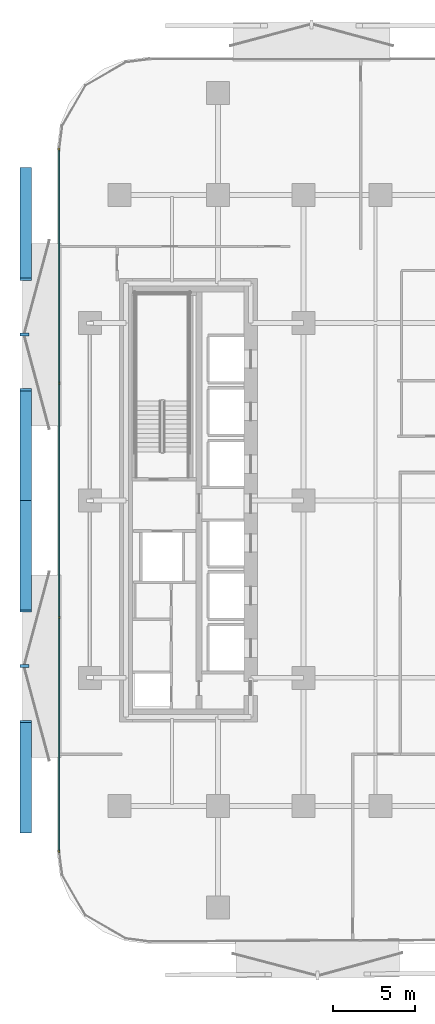
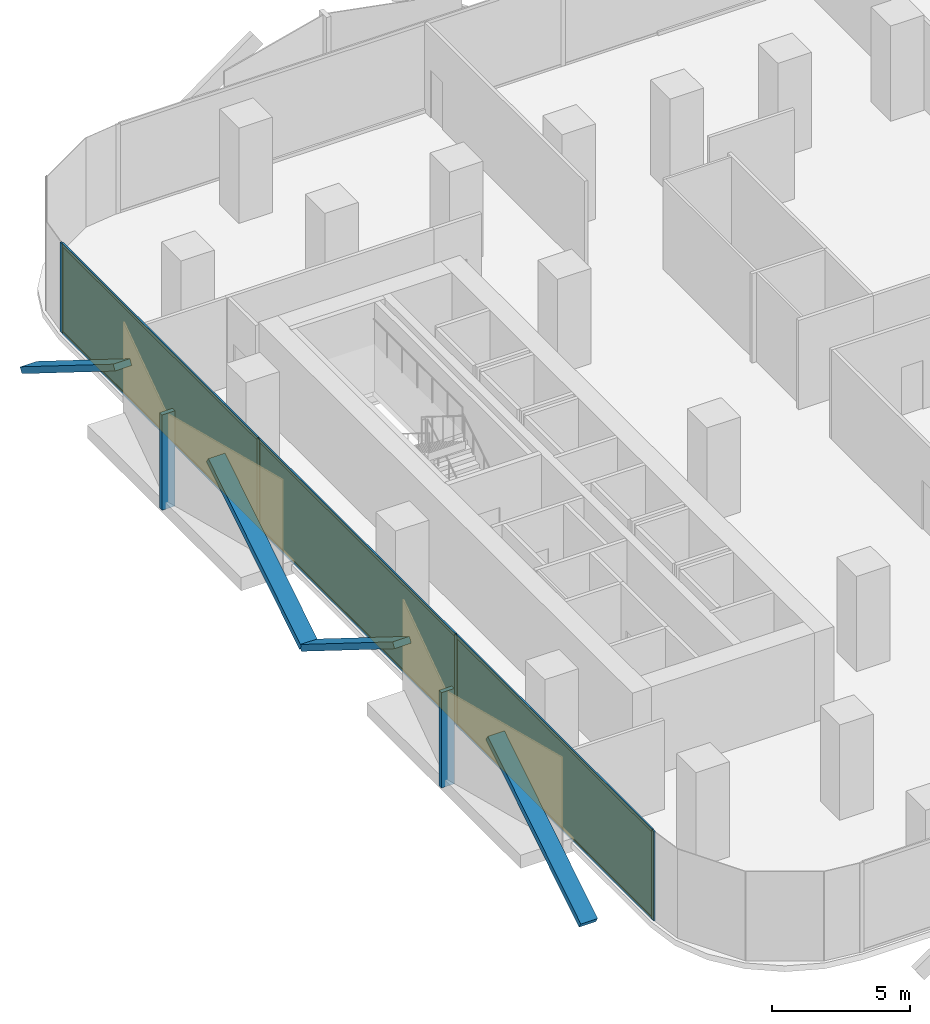
# One storey, part 8 of 15: 16 members, 3 plates, 1 curtain wall.
"""IFC4 building model written with IfcOpenShell, lengths in metres."""

from ifc_helpers import new_model, si_unit, direction, frame, frame_2d, origin, origin_2d, place, context, subcontext, project, spatial, rectangle, extrude, material, layer, layer_set, material_profile, profile_set, type_object, element, aggregate, save


model = new_model("IFC4")

# Units and contexts
model_context = context("Model", 3, precision=1e-05, world=origin(), true_north=direction((0.0, 1.0)))
body_context = subcontext(model_context, "Body", "Model", "MODEL_VIEW")
ifc_project = project(units=[si_unit("LENGTHUNIT", "METRE"), si_unit("AREAUNIT", "SQUARE_METRE"), si_unit("VOLUMEUNIT", "CUBIC_METRE"), si_unit("PLANEANGLEUNIT", "RADIAN"), si_unit("MASSUNIT", "GRAM", prefix="KILO")], contexts=[model_context])

# Member
ifc_material_1 = material(Name="Anodised Bronze Aluminium 6063-T6", Category="aluminium")
ifc_material_profile_1 = material_profile(ifc_material_1, rectangle(XDim=0.260009765625, YDim=0.699951171875, at=origin_2d()))
ifc_profile_set_1 = profile_set([ifc_material_profile_1], Name="Anodised Bronze Aluminium 6063-T6")
member_type_1 = type_object("IfcMemberType", Name="Bronze Diamond Solar-Screen Lattice Rib BDL-700", PredefinedType="MULLION", material=ifc_profile_set_1)
site_placement = place(None, origin())
building_placement = place(site_placement, origin())
storey_placement = place(building_placement, frame((0.0, 0.0, 38.60009765625)))
member_1_placement = place(storey_placement, frame((-26.10009765625, -20.19091796875, -0.130126953125), z_axis=(0.0, 0.848371528126, 0.529401313057), x_axis=(0.0, -0.529401313057, 0.848371528126)))
member_1 = element("IfcMember", 1, at=member_1_placement, type_object=member_type_1, Name="L09 Bronze Diamond Solar Screen Lattice Rib 27A", PredefinedType="MULLION", context=body_context, shape_type="SweptSolid", body=[
    extrude(rectangle(XDim=0.260009765625, YDim=0.699951171875, at=origin_2d()), origin(), (0.0, 0.0, 1.0), 7.933349609375),
])

member_2_placement = place(storey_placement, frame((-26.10009765625, 0.0, -0.130126953125), z_axis=(0.0, -0.848362902952, 0.529415134744), x_axis=(0.0, 0.529415134744, 0.848362902952)))
member_2 = element("IfcMember", 2, at=member_2_placement, type_object=member_type_1, Name="L09 Bronze Diamond Solar Screen Lattice Rib 27B", PredefinedType="MULLION", context=body_context, shape_type="SweptSolid", body=[
    extrude(rectangle(XDim=0.260009765625, YDim=0.699951171875, at=origin_2d()), origin(), (0.0, 0.0, 1.0), 7.93310546875),
])

member_3_placement = place(storey_placement, frame((-26.10009765625, 0.0, -0.130126953125), z_axis=(0.0, 0.848362902952, 0.529415134744), x_axis=(0.0, -0.529415134744, 0.848362902952)))
member_3 = element("IfcMember", 3, at=member_3_placement, type_object=member_type_1, Name="L09 Bronze Diamond Solar Screen Lattice Rib 28A", PredefinedType="MULLION", context=body_context, shape_type="SweptSolid", body=[
    extrude(rectangle(XDim=0.260009765625, YDim=0.699951171875, at=origin_2d()), origin(), (0.0, 0.0, 1.0), 7.93310546875),
])

member_4_placement = place(storey_placement, frame((-26.10009765625, 20.19091796875, -0.130126953125), z_axis=(0.0, -0.848371528126, 0.529401313057), x_axis=(0.0, 0.529401313057, 0.848371528126)))
member_4 = element("IfcMember", 4, at=member_4_placement, type_object=member_type_1, Name="L09 Bronze Diamond Solar Screen Lattice Rib 28B", PredefinedType="MULLION", context=body_context, shape_type="SweptSolid", body=[
    extrude(rectangle(XDim=0.260009765625, YDim=0.699951171875, at=origin_2d()), origin(), (0.0, 0.0, 1.0), 7.933349609375),
])

ifc_material_2 = material(Name="Anodised Bronze Aluminium 6063-T6", Category="aluminium")
ifc_material_profile_2 = material_profile(ifc_material_2, rectangle(XDim=0.179931640625, YDim=0.5400390625, at=origin_2d()))
ifc_profile_set_2 = profile_set([ifc_material_profile_2], Name="Anodised Bronze Aluminium 6063-T6")
member_type_2 = type_object("IfcMemberType", Name="Bronze Solar-Screen Vertical Fold Fin BSF-540", PredefinedType="MULLION", material=ifc_profile_set_2)
member_5_placement = place(storey_placement, frame((-26.179931640625, -10.095458984375, -0.130126953125), z_axis=(0.0, 0.0, 1.0), x_axis=(0.0, 1.0, 0.0)))
member_5 = element("IfcMember", 5, at=member_5_placement, type_object=member_type_2, Name="L09 Bronze Solar Screen Vertical Fin 27", PredefinedType="MULLION", context=body_context, shape_type="SweptSolid", body=[
    extrude(rectangle(XDim=0.179931640625, YDim=0.5400390625, at=origin_2d()), origin(), (0.0, 0.0, 1.0), 4.199951171875),
])

member_6_placement = place(storey_placement, frame((-26.179931640625, 10.095458984375, -0.130126953125), z_axis=(0.0, 0.0, 1.0), x_axis=(0.0, 1.0, 0.0)))
member_6 = element("IfcMember", 6, at=member_6_placement, type_object=member_type_2, Name="L09 Bronze Solar Screen Vertical Fin 28", PredefinedType="MULLION", context=body_context, shape_type="SweptSolid", body=[
    extrude(rectangle(XDim=0.179931640625, YDim=0.5400390625, at=origin_2d()), origin(), (0.0, 0.0, 1.0), 4.199951171875),
])

ifc_material_3 = material(Name="Anodised Bronze Aluminium 6063-T6", Category="aluminium")
ifc_material_profile_3 = material_profile(ifc_material_3, rectangle(XDim=0.06494140625, YDim=0.179931640625, at=origin_2d()))
ifc_profile_set_3 = profile_set([ifc_material_profile_3], Name="Anodised Bronze Aluminium 6063-T6")
member_type_3 = type_object("IfcMemberType", Name="CW-Z1 Mullion 65x180", PredefinedType="MULLION", material=ifc_profile_set_3)
member_7_placement = place(storey_placement, frame((-24.06005859375, -21.3583984375, 0.0), z_axis=(0.0, 0.0, 1.0), x_axis=(-1.0, 0.0, 0.0)))
member_7 = element("IfcMember", 7, at=member_7_placement, type_object=member_type_3, Name="CW-Z1 mullion 1", PredefinedType="MULLION", context=body_context, shape_type="SweptSolid", body=[
    extrude(rectangle(XDim=0.06494140625, YDim=0.179931640625, at=origin_2d()), origin(), (0.0, 0.0, 1.0), 3.93994140625),
])

member_8_placement = place(storey_placement, frame((-24.06005859375, -7.13037109375, 0.0), z_axis=(0.0, 0.0, 1.0), x_axis=(-1.0, 0.0, 0.0)))
member_8 = element("IfcMember", 8, at=member_8_placement, type_object=member_type_3, Name="CW-Z1 mullion 2", PredefinedType="MULLION", context=body_context, shape_type="SweptSolid", body=[
    extrude(rectangle(XDim=0.06494140625, YDim=0.179931640625, at=origin_2d()), origin(), (0.0, 0.0, 1.0), 3.93994140625),
])

member_9_placement = place(storey_placement, frame((-24.06005859375, 7.13037109375, 0.0), z_axis=(0.0, 0.0, 1.0), x_axis=(-1.0, 0.0, 0.0)))
member_9 = element("IfcMember", 9, at=member_9_placement, type_object=member_type_3, Name="CW-Z1 mullion 3", PredefinedType="MULLION", context=body_context, shape_type="SweptSolid", body=[
    extrude(rectangle(XDim=0.06494140625, YDim=0.179931640625, at=origin_2d()), origin(), (0.0, 0.0, 1.0), 3.93994140625),
])

member_10_placement = place(storey_placement, frame((-24.06005859375, 21.3583984375, 0.0), z_axis=(0.0, 0.0, 1.0), x_axis=(-1.0, 0.0, 0.0)))
member_10 = element("IfcMember", 10, at=member_10_placement, type_object=member_type_3, Name="CW-Z1 mullion 4", PredefinedType="MULLION", context=body_context, shape_type="SweptSolid", body=[
    extrude(rectangle(XDim=0.06494140625, YDim=0.179931640625, at=origin_2d()), origin(), (0.0, 0.0, 1.0), 3.93994140625),
])

ifc_material_4 = material(Name="Anodised Bronze Aluminium 6063-T6", Category="aluminium")
ifc_material_profile_4 = material_profile(ifc_material_4, rectangle(XDim=0.06494140625, YDim=0.139892578125, at=origin_2d()))
ifc_profile_set_4 = profile_set([ifc_material_profile_4], Name="Anodised Bronze Aluminium 6063-T6")
member_type_4 = type_object("IfcMemberType", Name="CW-Z1 Transom 65x140", PredefinedType="USERDEFINED", material=ifc_profile_set_4)
member_11_placement = place(storey_placement, frame((-24.06005859375, -21.32568359375, 0.032470703125), z_axis=(0.0, 1.0, 0.0), x_axis=(-1.0, 0.0, 0.0)))
member_11 = element("IfcMember", 11, at=member_11_placement, type_object=member_type_4, Name="CW-Z1 transom 1.1", ObjectType="TRANSOM", PredefinedType="USERDEFINED", context=body_context, shape_type="SweptSolid", body=[
    extrude(rectangle(XDim=0.06494140625, YDim=0.139892578125, at=origin_2d()), origin(), (0.0, 0.0, 1.0), 14.162841796875),
])

member_12_placement = place(storey_placement, frame((-24.06005859375, -21.32568359375, 3.907470703125), z_axis=(0.0, 1.0, 0.0), x_axis=(-1.0, 0.0, 0.0)))
member_12 = element("IfcMember", 12, at=member_12_placement, type_object=member_type_4, Name="CW-Z1 transom 1.2", ObjectType="TRANSOM", PredefinedType="USERDEFINED", context=body_context, shape_type="SweptSolid", body=[
    extrude(rectangle(XDim=0.06494140625, YDim=0.139892578125, at=origin_2d()), origin(), (0.0, 0.0, 1.0), 14.162841796875),
])

member_13_placement = place(storey_placement, frame((-24.06005859375, -7.09765625, 0.032470703125), z_axis=(0.0, 1.0, 0.0), x_axis=(-1.0, 0.0, 0.0)))
member_13 = element("IfcMember", 13, at=member_13_placement, type_object=member_type_4, Name="CW-Z1 transom 2.1", ObjectType="TRANSOM", PredefinedType="USERDEFINED", context=body_context, shape_type="SweptSolid", body=[
    extrude(rectangle(XDim=0.06494140625, YDim=0.139892578125, at=origin_2d()), origin(), (0.0, 0.0, 1.0), 14.1953125),
])

member_14_placement = place(storey_placement, frame((-24.06005859375, -7.09765625, 3.907470703125), z_axis=(0.0, 1.0, 0.0), x_axis=(-1.0, 0.0, 0.0)))
member_14 = element("IfcMember", 14, at=member_14_placement, type_object=member_type_4, Name="CW-Z1 transom 2.2", ObjectType="TRANSOM", PredefinedType="USERDEFINED", context=body_context, shape_type="SweptSolid", body=[
    extrude(rectangle(XDim=0.06494140625, YDim=0.139892578125, at=origin_2d()), origin(), (0.0, 0.0, 1.0), 14.1953125),
])

member_15_placement = place(storey_placement, frame((-24.06005859375, 7.162841796875, 0.032470703125), z_axis=(0.0, 1.0, 0.0), x_axis=(-1.0, 0.0, 0.0)))
member_15 = element("IfcMember", 15, at=member_15_placement, type_object=member_type_4, Name="CW-Z1 transom 3.1", ObjectType="TRANSOM", PredefinedType="USERDEFINED", context=body_context, shape_type="SweptSolid", body=[
    extrude(rectangle(XDim=0.06494140625, YDim=0.139892578125, at=origin_2d()), origin(), (0.0, 0.0, 1.0), 14.162841796875),
])

member_16_placement = place(storey_placement, frame((-24.06005859375, 7.162841796875, 3.907470703125), z_axis=(0.0, 1.0, 0.0), x_axis=(-1.0, 0.0, 0.0)))
member_16 = element("IfcMember", 16, at=member_16_placement, type_object=member_type_4, Name="CW-Z1 transom 3.2", ObjectType="TRANSOM", PredefinedType="USERDEFINED", context=body_context, shape_type="SweptSolid", body=[
    extrude(rectangle(XDim=0.06494140625, YDim=0.139892578125, at=origin_2d()), origin(), (0.0, 0.0, 1.0), 14.162841796875),
])

# Plate
ifc_material_5 = material(Name="Low-E Solar Control Laminated Glass", Category="glass")
ifc_layer_1 = layer(ifc_material_5, 0.028076171875, Name="Low-E Solar Control Laminated Glass")
ifc_layer_set_1 = layer_set([ifc_layer_1], Name="Low-E Solar Control Laminated Glass")
plate_type = type_object("IfcPlateType", Name="CW-Z1 Low-E Double Glazed Panel 28mm", PredefinedType="CURTAIN_PANEL", material=ifc_layer_set_1)
plate_1_placement = place(storey_placement, frame((-24.06005859375, -14.244384765625, 0.06494140625), z_axis=(0.0, 0.0, 1.0), x_axis=(0.0, 1.0, 0.0)))
plate_1 = element("IfcPlate", 17, at=plate_1_placement, type_object=plate_type, Name="CW-Z1 panel 1.1", PredefinedType="CURTAIN_PANEL", context=body_context, shape_type="SweptSolid", body=[
    extrude(rectangle(XDim=14.1630859375, YDim=0.028076171875, at=origin_2d()), origin(), (0.0, 0.0, 1.0), 3.81005859375),
])

plate_2_placement = place(storey_placement, frame((-24.06005859375, 0.0, 0.06494140625), z_axis=(0.0, 0.0, 1.0), x_axis=(0.0, 1.0, 0.0)))
plate_2 = element("IfcPlate", 18, at=plate_2_placement, type_object=plate_type, Name="CW-Z1 panel 2.1", PredefinedType="CURTAIN_PANEL", context=body_context, shape_type="SweptSolid", body=[
    extrude(rectangle(XDim=14.195556640625, YDim=0.028076171875, at=origin_2d()), origin(), (0.0, 0.0, 1.0), 3.81005859375),
])

plate_3_placement = place(storey_placement, frame((-24.06005859375, 14.244384765625, 0.06494140625), z_axis=(0.0, 0.0, 1.0), x_axis=(0.0, 1.0, 0.0)))
plate_3 = element("IfcPlate", 19, at=plate_3_placement, type_object=plate_type, Name="CW-Z1 panel 3.1", PredefinedType="CURTAIN_PANEL", context=body_context, shape_type="SweptSolid", body=[
    extrude(rectangle(XDim=14.1630859375, YDim=0.028076171875, at=origin_2d()), origin(), (0.0, 0.0, 1.0), 3.81005859375),
])

# Site, building, storey
site = spatial("IfcSite", under=ifc_project, at=site_placement, CompositionType="ELEMENT")
building = spatial("IfcBuilding", under=site, at=building_placement, Name="Khairoan Windgate Tower", CompositionType="ELEMENT")
storey = spatial("IfcBuildingStorey", under=building, at=storey_placement, Name="L09", CompositionType="ELEMENT", Elevation=38.60009765625)

# Curtain wall
ifc_material_6 = material(Name="Anodised Bronze Aluminium 6063-T6", Category="aluminium")
ifc_layer_2 = layer(ifc_material_6, 0.179931640625, Name="Anodised Bronze Aluminium 6063-T6")
ifc_layer_set_2 = layer_set([ifc_layer_2], Name="Anodised Bronze Aluminium 6063-T6")
curtain_wall_type = type_object("IfcCurtainWallType", Name="Low-Rise Office Unitised Curtain Wall CW-Z1", PredefinedType="NOTDEFINED", material=ifc_layer_set_2)
curtain_wall_placement = place(storey_placement, frame((-24.06005859375, -21.390869140625, 0.0), z_axis=(0.0, 0.0, 1.0), x_axis=(0.0, 1.0, 0.0)))
curtain_wall = element("IfcCurtainWall", 20, at=curtain_wall_placement, inside=storey, type_object=curtain_wall_type, Name="L09 Unitised Curtain Wall 6", PredefinedType="NOTDEFINED", context=body_context, shape_type="SweptSolid", body=[
    extrude(rectangle(XDim=42.78173828125, YDim=0.010009765625, at=frame_2d((21.390869140625, 0.0))), origin(), (0.0, 0.0, 1.0), 3.93994140625),
])

aggregate(curtain_wall, [member_7, member_8, member_9, member_10, member_11, member_12, plate_1, member_13, member_14, plate_2, member_15, member_16, plate_3, member_1, member_2, member_5, member_3, member_4, member_6])

save(model, "model.ifc")
